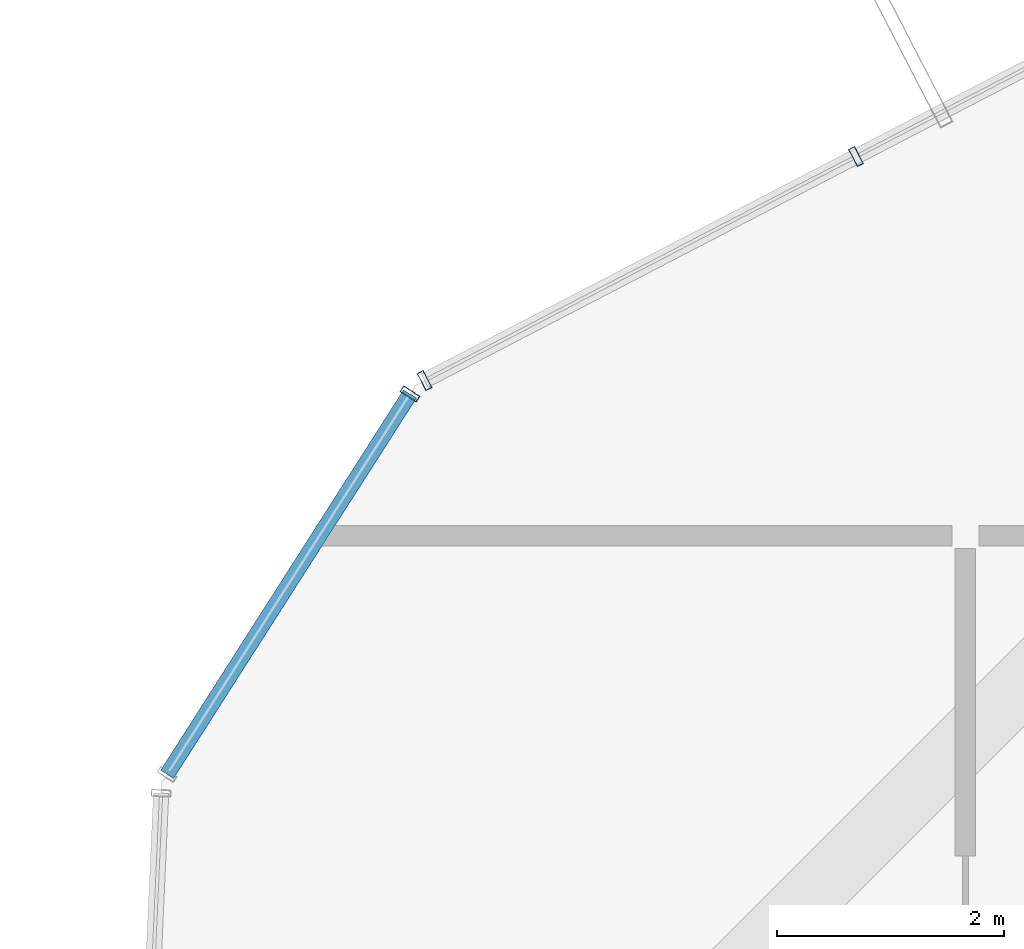
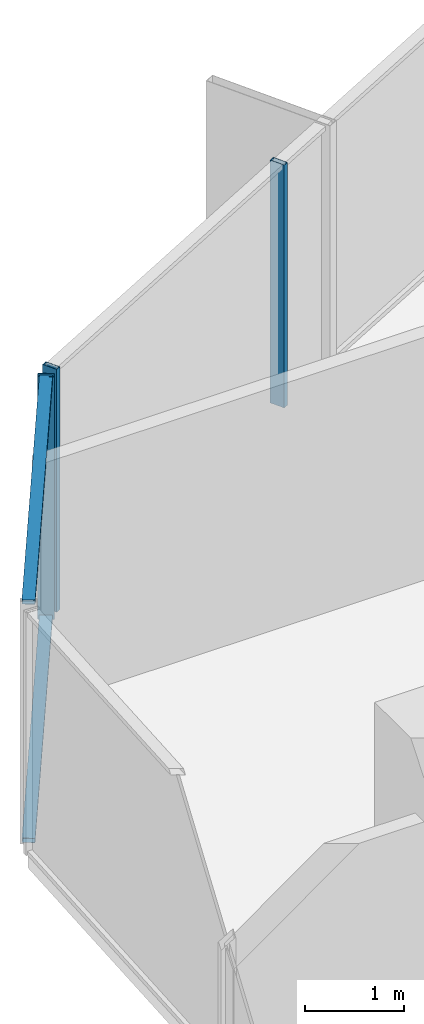
# One storey, part 16 of 30: 5 members, 2 elements without a shape of their own.
"""IFC4 building model written with IfcOpenShell, lengths in metres."""

from ifc_helpers import new_model, si_unit, direction, frame, origin, origin_2d, place, context, subcontext, project, spatial, hollow_rectangle, extrude, source, transform, mapped, material, layer, layer_set, material_profile, profile_set, type_object, element, aggregate, save


model = new_model("IFC4")

# Units and contexts
model_context = context("Model", 3, precision=1e-05, world=origin(), true_north=direction((0.0, 1.0)))
body_context = subcontext(model_context, "Body", "Model", "MODEL_VIEW")
ifc_project = project(units=[si_unit("LENGTHUNIT", "METRE"), si_unit("AREAUNIT", "SQUARE_METRE"), si_unit("VOLUMEUNIT", "CUBIC_METRE"), si_unit("PLANEANGLEUNIT", "RADIAN"), si_unit("MASSUNIT", "GRAM", prefix="KILO")], contexts=[model_context])

# Site, building, storey
site_placement = place(None, origin())
site = spatial("IfcSite", under=ifc_project, at=site_placement, CompositionType="ELEMENT")
building_placement = place(site_placement, origin())
building = spatial("IfcBuilding", under=site, at=building_placement, Name="Veraguas Prism Commons", CompositionType="ELEMENT")
storey_placement = place(building_placement, frame((0.0, 0.0, 119.75)))
storey = spatial("IfcBuildingStorey", under=building, at=storey_placement, Name="L33", CompositionType="ELEMENT", Elevation=119.75)

# Curtain wall, members
ifc_material = material(Name="Anodised aluminium EN AW-6063 T6", Category="aluminium")
ifc_layer = layer(ifc_material, 0.169921875, Name="Unitised Flush Curtain Wall Zone 2", Category="aluminium")
ifc_layer_set = layer_set([ifc_layer], Name="Anodised aluminium EN AW-6063 T6")
curtain_wall_type = type_object("IfcCurtainWallType", Name="Unitised Flush Curtain Wall Zone 2", PredefinedType="NOTDEFINED", material=ifc_layer_set)
curtain_wall_1_placement = place(storey_placement, origin())
curtain_wall_1 = element("IfcCurtainWall", 1, at=curtain_wall_1_placement, inside=storey, type_object=curtain_wall_type, Name="Tower Facade Curtain Wall L33-F2", PredefinedType="NOTDEFINED")
ifc_material_profile_1 = material_profile(ifc_material, hollow_rectangle(XDim=0.06005859375, YDim=0.169921875, WallThickness=0.00390625, at=origin_2d()), Name="AL60X170X4")
ifc_profile_set_1 = profile_set([ifc_material_profile_1], Name="Anodised aluminium EN AW-6063 T6")
member_type_1 = type_object("IfcMemberType", Name="Curtain Wall Mullion Lower AL 60x170x4", PredefinedType="MULLION", material=ifc_profile_set_1)
shared_shape_1 = source(origin(), body_context, "Body", "SweptSolid", [
    extrude(hollow_rectangle(XDim=0.06005859375, YDim=0.169921875, WallThickness=0.00390625, at=origin_2d()), origin(), (0.0, 0.0, 1.0), 3.0),
])
member_1_placement = place(storey_placement, frame((11.33642578125, 39.038818359375, 0.0), z_axis=(0.0, 0.0, 1.0), x_axis=(-0.887493888749, -0.46081948465, 0.0)))
member_1 = element("IfcMember", 2, at=member_1_placement, type_object=member_type_1, Name="CW-Z2 Mullion 4", PredefinedType="MULLION", context=body_context, shape_type="MappedRepresentation", body=[
    mapped(shared_shape_1, transform((0.0, 0.0, 0.0), scale=1.0)),
])
member_2_placement = place(storey_placement, frame((7.539306640625, 37.067138671875, 0.0), z_axis=(0.0, 0.0, 1.0), x_axis=(-0.887493888749, -0.46081948465, 0.0)))
member_2 = element("IfcMember", 3, at=member_2_placement, type_object=member_type_1, Name="CW-Z2 Mullion 5", PredefinedType="MULLION", context=body_context, shape_type="MappedRepresentation", body=[
    mapped(shared_shape_1, transform((0.0, 0.0, 0.0), scale=1.0)),
])
aggregate(curtain_wall_1, [member_1, member_2])

curtain_wall_2_placement = place(storey_placement, origin())
curtain_wall_2 = element("IfcCurtainWall", 4, at=curtain_wall_2_placement, inside=storey, type_object=curtain_wall_type, Name="Chamfer Curtain Wall L33-C3", PredefinedType="NOTDEFINED")
member_3_placement = place(storey_placement, frame((7.410888671875, 36.94970703125, 0.0), z_axis=(0.0, 0.0, 1.0), x_axis=(-0.53817662697, -0.842832081843, 0.0)))
member_3 = element("IfcMember", 5, at=member_3_placement, type_object=member_type_1, Name="CW-Z2 Mullion 1", PredefinedType="MULLION", context=body_context, shape_type="MappedRepresentation", body=[
    mapped(shared_shape_1, transform((0.0, 0.0, 0.0), scale=1.0)),
])
ifc_material_profile_2 = material_profile(ifc_material, hollow_rectangle(XDim=0.054931640625, YDim=0.135009765625, WallThickness=0.0029296875, at=origin_2d()), Name="AL55X135X3")
ifc_profile_set_2 = profile_set([ifc_material_profile_2], Name="Anodised aluminium EN AW-6063 T6")
member_type_2 = type_object("IfcMemberType", Name="Curtain Wall Transom Standard AL 55x135x3", PredefinedType="USERDEFINED", material=ifc_profile_set_2)
shared_shape_2 = source(origin(), body_context, "Body", "SweptSolid", [
    extrude(hollow_rectangle(XDim=0.054931640625, YDim=0.135009765625, WallThickness=0.0029296875, at=origin_2d()), origin(), (0.0, 0.0, 1.0), 3.97314453125),
])
member_4_placement = place(storey_placement, frame((7.410888671875, 36.94970703125, 0.027587890625), z_axis=(-0.538171072722, -0.842835628391, 0.0), x_axis=(0.0, 0.0, 1.0)))
member_4 = element("IfcMember", 6, at=member_4_placement, type_object=member_type_2, Name="CW-Z2 Transom 1", ObjectType="TRANSOM", PredefinedType="USERDEFINED", context=body_context, shape_type="MappedRepresentation", body=[
    mapped(shared_shape_2, transform((0.0, 0.0, 0.0), scale=1.0)),
])
member_5_placement = place(storey_placement, frame((7.410888671875, 36.94970703125, 2.972412109375), z_axis=(-0.538171072722, -0.842835628391, 0.0), x_axis=(0.0, 0.0, 1.0)))
member_5 = element("IfcMember", 7, at=member_5_placement, type_object=member_type_2, Name="CW-Z2 Transom 2", ObjectType="TRANSOM", PredefinedType="USERDEFINED", context=body_context, shape_type="MappedRepresentation", body=[
    mapped(shared_shape_2, transform((0.0, 0.0, 0.0), scale=1.0)),
])
aggregate(curtain_wall_2, [member_3, member_4, member_5])

save(model, "model.ifc")
